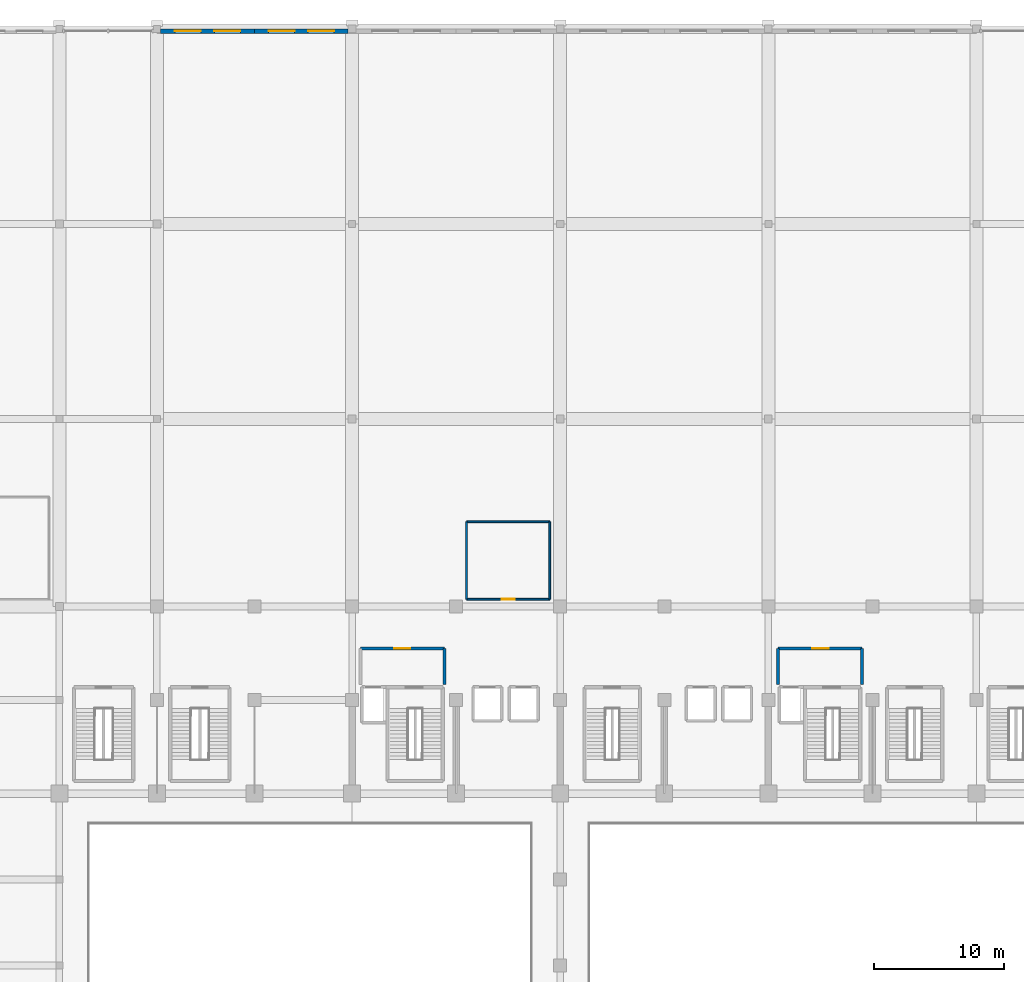
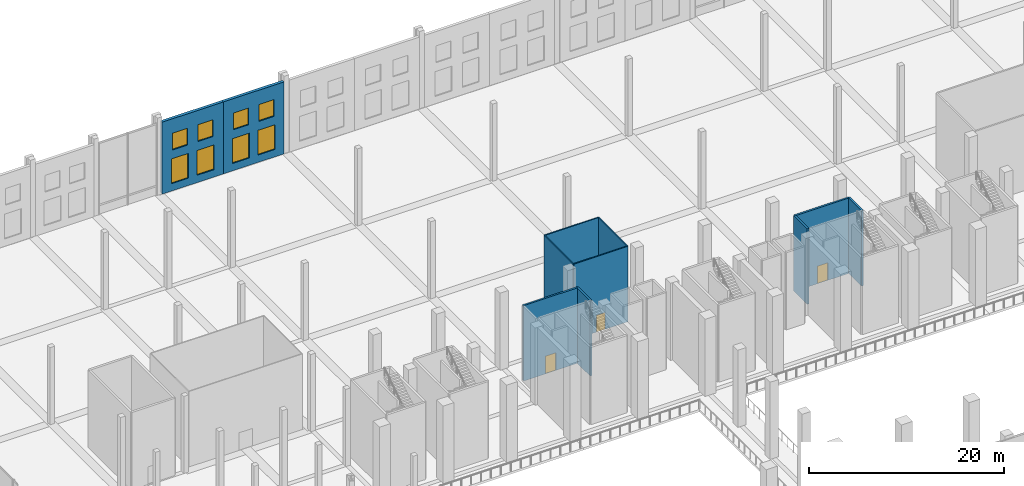
# One storey, part 68 of 80: 11 walls, 8 windows, 3 doors, 11 openings.
"""IFC4 building model written with IfcOpenShell, lengths in metres."""

from ifc_helpers import new_model, si_unit, direction, frame, frame_2d, origin, place, context, subcontext, project, spatial, rectangle, extrude, material, layer, layer_set, type_object, element, fill, save


model = new_model("IFC4")

# Units and contexts
model_context = context("Model", 3, precision=1e-05, world=origin(), true_north=direction((0.0, 1.0)))
body_context = subcontext(model_context, "Body", "Model", "MODEL_VIEW")
ifc_project = project(units=[si_unit("LENGTHUNIT", "METRE"), si_unit("AREAUNIT", "SQUARE_METRE"), si_unit("VOLUMEUNIT", "CUBIC_METRE"), si_unit("PLANEANGLEUNIT", "RADIAN"), si_unit("MASSUNIT", "GRAM", prefix="KILO")], contexts=[model_context])

# Site, building, storey
site_placement = place(None, origin())
site = spatial("IfcSite", under=ifc_project, at=site_placement, CompositionType="ELEMENT")
building_placement = place(site_placement, origin())
building = spatial("IfcBuilding", under=site, at=building_placement, Name="Akrevak Sports Hall", CompositionType="ELEMENT")
storey_placement = place(building_placement, frame((0.0, 0.0, 14.0)))
storey = spatial("IfcBuildingStorey", under=building, at=storey_placement, Name="L03", CompositionType="ELEMENT", Elevation=14.0)

# Wall, openings, windows
ifc_material_1 = material(Name="Limestone Ashlar", Category="stone")
ifc_layer_1 = layer(ifc_material_1, 0.070068359375, Name="Limestone Ashlar")
ifc_material_2 = material(Name="Mineral Wool Thermal Insulation", Category="insulation")
ifc_layer_2 = layer(ifc_material_2, 0.10009765625, Name="Mineral Wool Thermal Insulation")
ifc_material_3 = material(Name="Concrete C40/50", Category="concrete")
ifc_layer_3 = layer(ifc_material_3, 0.169921875, Name="Concrete C40/50")
ifc_layer_set_1 = layer_set([ifc_layer_1, ifc_layer_2, ifc_layer_3], Name="Limestone Ashlar / Mineral Wool Thermal Insulation / Concrete C40/50")
wall_type_1 = type_object("IfcWallType", Name="ARC-WL-EXT-340", PredefinedType="SOLIDWALL", material=ifc_layer_set_1)
wall_1_placement = place(storey_placement, frame((52.5, 113.830078125, 0.0), z_axis=(0.0, 0.0, 1.0), x_axis=(-1.0, 0.0, 0.0)))
wall_1 = element("IfcWall", 1, at=wall_1_placement, inside=storey, type_object=wall_type_1, Name="Exterior Limestone Wall L03-N07", PredefinedType="SOLIDWALL", context=body_context, shape_type="SweptSolid", body=[
    extrude(rectangle(XDim=7.22509765625, YDim=0.340087890625, at=frame_2d((3.612548828125, 0.0))), origin(), (0.0, 0.0, 1.0), 9.0),
])
opening_1_placement = place(wall_1_placement, frame((4.1298828125, 0.0, 0.919921875)))
opening_1 = element("IfcOpeningElement", 2, at=opening_1_placement, cuts=wall_1, Name="Opening WN-41", PredefinedType="OPENING", context=body_context, shape_type="SweptSolid", body=[
    extrude(rectangle(XDim=2.0, YDim=3.10009765625, at=frame_2d((1.0, 1.550048828125))), frame((0.0, 0.18212890625, 0.0), z_axis=(0.0, -1.0, 0.0), x_axis=(1.0, 0.0, 0.0)), (0.0, 0.0, 1.0), 0.364013671875),
])
opening_2_placement = place(wall_1_placement, frame((4.229736328125, 0.0, 5.10009765625)))
opening_2 = element("IfcOpeningElement", 3, at=opening_2_placement, cuts=wall_1, Name="Opening WN-37", PredefinedType="OPENING", context=body_context, shape_type="SweptSolid", body=[
    extrude(rectangle(XDim=1.800048828125, YDim=2.10009765625, at=frame_2d((0.89990234375, 1.050048828125))), frame((0.0, 0.18212890625, 0.0), z_axis=(0.0, -1.0, 0.0), x_axis=(1.0, 0.0, 0.0)), (0.0, 0.0, 1.0), 0.364013671875),
])
opening_3_placement = place(wall_1_placement, frame((1.09521484375, 0.0, 0.919921875)))
opening_3 = element("IfcOpeningElement", 4, at=opening_3_placement, cuts=wall_1, Name="Opening WN-41", PredefinedType="OPENING", context=body_context, shape_type="SweptSolid", body=[
    extrude(rectangle(XDim=2.0, YDim=3.10009765625, at=frame_2d((1.0, 1.550048828125))), frame((0.0, 0.18212890625, 0.0), z_axis=(0.0, -1.0, 0.0), x_axis=(1.0, 0.0, 0.0)), (0.0, 0.0, 1.0), 0.364013671875),
])
opening_4_placement = place(wall_1_placement, frame((1.1953125, 0.0, 5.10009765625)))
opening_4 = element("IfcOpeningElement", 5, at=opening_4_placement, cuts=wall_1, Name="Opening WN-37", PredefinedType="OPENING", context=body_context, shape_type="SweptSolid", body=[
    extrude(rectangle(XDim=1.800048828125, YDim=2.10009765625, at=frame_2d((0.89990234375, 1.050048828125))), frame((0.0, 0.18212890625, 0.0), z_axis=(0.0, -1.0, 0.0), x_axis=(1.0, 0.0, 0.0)), (0.0, 0.0, 1.0), 0.364013671875),
])
ifc_material_4 = material(Name="Thermally Broken Bronze Frame & Double Low-E Glass", Category="glass")
window_type_1 = type_object("IfcWindowType", Name="ARC-WIN-SZ-1800x2100", PartitioningType="SINGLE_PANEL", PredefinedType="WINDOW", material=ifc_material_4)
window_1_placement = place(opening_2_placement, origin())
window_1 = element("IfcWindow", 6, at=window_1_placement, inside=storey, type_object=window_type_1, Name="Beaux-Arts Attic Clerestory Window WIN-L03-N07-1U", OverallHeight=2.10009765625, OverallWidth=1.800048828125, PartitioningType="SINGLE_PANEL", PredefinedType="WINDOW", context=body_context, shape_type="SweptSolid", body=[
    extrude(rectangle(XDim=1.800048828125, YDim=2.10009765625, at=frame_2d((0.89990234375, 1.050048828125))), frame((0.0, 0.030029296875, 0.0), z_axis=(0.0, -1.0, 0.0), x_axis=(1.0, 0.0, 0.0)), (0.0, 0.0, 1.0), 0.06005859375),
])
fill(opening_2, window_1)
window_2_placement = place(opening_4_placement, origin())
window_2 = element("IfcWindow", 7, at=window_2_placement, inside=storey, type_object=window_type_1, Name="Beaux-Arts Attic Clerestory Window WIN-L03-N07-2U", OverallHeight=2.10009765625, OverallWidth=1.800048828125, PartitioningType="SINGLE_PANEL", PredefinedType="WINDOW", context=body_context, shape_type="SweptSolid", body=[
    extrude(rectangle(XDim=1.800048828125, YDim=2.10009765625, at=frame_2d((0.89990234375, 1.050048828125))), frame((0.0, 0.030029296875, 0.0), z_axis=(0.0, -1.0, 0.0), x_axis=(1.0, 0.0, 0.0)), (0.0, 0.0, 1.0), 0.06005859375),
])
fill(opening_4, window_2)
window_type_2 = type_object("IfcWindowType", Name="ARC-WIN-SZ-2000x3100", PartitioningType="SINGLE_PANEL", PredefinedType="WINDOW", material=ifc_material_4)
window_3_placement = place(opening_1_placement, origin())
window_3 = element("IfcWindow", 8, at=window_3_placement, inside=storey, type_object=window_type_2, Name="Beaux-Arts Facade Window WIN-L03-N07-1", OverallHeight=3.10009765625, OverallWidth=2.0, PartitioningType="SINGLE_PANEL", PredefinedType="WINDOW", context=body_context, shape_type="SweptSolid", body=[
    extrude(rectangle(XDim=2.0, YDim=3.10009765625, at=frame_2d((1.0, 1.550048828125))), frame((0.0, 0.030029296875, 0.0), z_axis=(0.0, -1.0, 0.0), x_axis=(1.0, 0.0, 0.0)), (0.0, 0.0, 1.0), 0.06005859375),
])
fill(opening_1, window_3)
window_4_placement = place(opening_3_placement, origin())
window_4 = element("IfcWindow", 9, at=window_4_placement, inside=storey, type_object=window_type_2, Name="Beaux-Arts Facade Window WIN-L03-N07-2", OverallHeight=3.10009765625, OverallWidth=2.0, PartitioningType="SINGLE_PANEL", PredefinedType="WINDOW", context=body_context, shape_type="SweptSolid", body=[
    extrude(rectangle(XDim=2.0, YDim=3.10009765625, at=frame_2d((1.0, 1.550048828125))), frame((0.0, 0.030029296875, 0.0), z_axis=(0.0, -1.0, 0.0), x_axis=(1.0, 0.0, 0.0)), (0.0, 0.0, 1.0), 0.06005859375),
])
fill(opening_3, window_4)

wall_2_placement = place(storey_placement, frame((59.699951171875, 113.830078125, 0.0), z_axis=(0.0, 0.0, 1.0), x_axis=(-1.0, 0.0, 0.0)))
wall_2 = element("IfcWall", 10, at=wall_2_placement, inside=storey, type_object=wall_type_1, Name="Exterior Limestone Wall L03-N08", PredefinedType="SOLIDWALL", context=body_context, shape_type="SweptSolid", body=[
    extrude(rectangle(XDim=7.199951171875, YDim=0.340087890625, at=frame_2d((3.60009765625, 0.0))), origin(), (0.0, 0.0, 1.0), 9.0),
])
opening_5_placement = place(wall_2_placement, frame((4.112060546875, 0.0, 0.919921875)))
opening_5 = element("IfcOpeningElement", 11, at=opening_5_placement, cuts=wall_2, Name="Opening WN-41", PredefinedType="OPENING", context=body_context, shape_type="SweptSolid", body=[
    extrude(rectangle(XDim=2.0, YDim=3.10009765625, at=frame_2d((1.0, 1.550048828125))), frame((0.0, 0.18212890625, 0.0), z_axis=(0.0, -1.0, 0.0), x_axis=(1.0, 0.0, 0.0)), (0.0, 0.0, 1.0), 0.364013671875),
])
opening_6_placement = place(wall_2_placement, frame((4.2119140625, 0.0, 5.10009765625)))
opening_6 = element("IfcOpeningElement", 12, at=opening_6_placement, cuts=wall_2, Name="Opening WN-37", PredefinedType="OPENING", context=body_context, shape_type="SweptSolid", body=[
    extrude(rectangle(XDim=1.800048828125, YDim=2.10009765625, at=frame_2d((0.89990234375, 1.050048828125))), frame((0.0, 0.18212890625, 0.0), z_axis=(0.0, -1.0, 0.0), x_axis=(1.0, 0.0, 0.0)), (0.0, 0.0, 1.0), 0.364013671875),
])
opening_7_placement = place(wall_2_placement, frame((1.087890625, 0.0, 0.919921875)))
opening_7 = element("IfcOpeningElement", 13, at=opening_7_placement, cuts=wall_2, Name="Opening WN-41", PredefinedType="OPENING", context=body_context, shape_type="SweptSolid", body=[
    extrude(rectangle(XDim=2.0, YDim=3.10009765625, at=frame_2d((1.0, 1.550048828125))), frame((0.0, 0.18212890625, 0.0), z_axis=(0.0, -1.0, 0.0), x_axis=(1.0, 0.0, 0.0)), (0.0, 0.0, 1.0), 0.364013671875),
])
opening_8_placement = place(wall_2_placement, frame((1.18798828125, 0.0, 5.10009765625)))
opening_8 = element("IfcOpeningElement", 14, at=opening_8_placement, cuts=wall_2, Name="Opening WN-37", PredefinedType="OPENING", context=body_context, shape_type="SweptSolid", body=[
    extrude(rectangle(XDim=1.800048828125, YDim=2.10009765625, at=frame_2d((0.89990234375, 1.050048828125))), frame((0.0, 0.18212890625, 0.0), z_axis=(0.0, -1.0, 0.0), x_axis=(1.0, 0.0, 0.0)), (0.0, 0.0, 1.0), 0.364013671875),
])
window_5_placement = place(opening_6_placement, origin())
window_5 = element("IfcWindow", 15, at=window_5_placement, inside=storey, type_object=window_type_1, Name="Beaux-Arts Attic Clerestory Window WIN-L03-N08-1U", OverallHeight=2.10009765625, OverallWidth=1.800048828125, PartitioningType="SINGLE_PANEL", PredefinedType="WINDOW", context=body_context, shape_type="SweptSolid", body=[
    extrude(rectangle(XDim=1.800048828125, YDim=2.10009765625, at=frame_2d((0.89990234375, 1.050048828125))), frame((0.0, 0.030029296875, 0.0), z_axis=(0.0, -1.0, 0.0), x_axis=(1.0, 0.0, 0.0)), (0.0, 0.0, 1.0), 0.06005859375),
])
fill(opening_6, window_5)
window_6_placement = place(opening_8_placement, origin())
window_6 = element("IfcWindow", 16, at=window_6_placement, inside=storey, type_object=window_type_1, Name="Beaux-Arts Attic Clerestory Window WIN-L03-N08-2U", OverallHeight=2.10009765625, OverallWidth=1.800048828125, PartitioningType="SINGLE_PANEL", PredefinedType="WINDOW", context=body_context, shape_type="SweptSolid", body=[
    extrude(rectangle(XDim=1.800048828125, YDim=2.10009765625, at=frame_2d((0.89990234375, 1.050048828125))), frame((0.0, 0.030029296875, 0.0), z_axis=(0.0, -1.0, 0.0), x_axis=(1.0, 0.0, 0.0)), (0.0, 0.0, 1.0), 0.06005859375),
])
fill(opening_8, window_6)
window_7_placement = place(opening_5_placement, origin())
window_7 = element("IfcWindow", 17, at=window_7_placement, inside=storey, type_object=window_type_2, Name="Beaux-Arts Facade Window WIN-L03-N08-1", OverallHeight=3.10009765625, OverallWidth=2.0, PartitioningType="SINGLE_PANEL", PredefinedType="WINDOW", context=body_context, shape_type="SweptSolid", body=[
    extrude(rectangle(XDim=2.0, YDim=3.10009765625, at=frame_2d((1.0, 1.550048828125))), frame((0.0, 0.030029296875, 0.0), z_axis=(0.0, -1.0, 0.0), x_axis=(1.0, 0.0, 0.0)), (0.0, 0.0, 1.0), 0.06005859375),
])
fill(opening_5, window_7)
window_8_placement = place(opening_7_placement, origin())
window_8 = element("IfcWindow", 18, at=window_8_placement, inside=storey, type_object=window_type_2, Name="Beaux-Arts Facade Window WIN-L03-N08-2", OverallHeight=3.10009765625, OverallWidth=2.0, PartitioningType="SINGLE_PANEL", PredefinedType="WINDOW", context=body_context, shape_type="SweptSolid", body=[
    extrude(rectangle(XDim=2.0, YDim=3.10009765625, at=frame_2d((1.0, 1.550048828125))), frame((0.0, 0.030029296875, 0.0), z_axis=(0.0, -1.0, 0.0), x_axis=(1.0, 0.0, 0.0)), (0.0, 0.0, 1.0), 0.06005859375),
])
fill(opening_7, window_8)

# Wall, opening, door
ifc_material_5 = material(Name="Moisture-Resistant Wet-Area Partition", Category="gypsum")
ifc_layer_4 = layer(ifc_material_5, 0.139892578125, Name="Moisture-Resistant Wet-Area Partition")
ifc_layer_set_2 = layer_set([ifc_layer_4], Name="Moisture-Resistant Wet-Area Partition")
wall_type_2 = type_object("IfcWallType", Name="ARC-WL-PRT-140", PredefinedType="PARTITIONING", material=ifc_layer_set_2)
wall_3_placement = place(storey_placement, frame((68.800048828125, 70.14990234375, 0.0), z_axis=(0.0, 0.0, 1.0), x_axis=(1.0, 0.0, 0.0)))
wall_3 = element("IfcWall", 19, at=wall_3_placement, inside=storey, type_object=wall_type_2, Name="Interior Partition Upper Accessible WC L03 (S)", PredefinedType="PARTITIONING", context=body_context, shape_type="SweptSolid", body=[
    extrude(rectangle(XDim=6.39990234375, YDim=0.139892578125, at=frame_2d((3.199951171875, 0.0))), origin(), (0.0, 0.0, 1.0), 9.429931640625),
])
opening_9_placement = place(wall_3_placement, frame((2.68994140625, 0.0, 0.0)))
opening_9 = element("IfcOpeningElement", 20, at=opening_9_placement, cuts=wall_3, Name="Opening ID-09", PredefinedType="OPENING", context=body_context, shape_type="SweptSolid", body=[
    extrude(rectangle(XDim=1.02001953125, YDim=2.10009765625, at=frame_2d((0.510009765625, 1.050048828125))), frame((0.0, 0.08203125, 0.0), z_axis=(0.0, -1.0, 0.0), x_axis=(1.0, 0.0, 0.0)), (0.0, 0.0, 1.0), 0.163818359375),
])
ifc_material_6 = material(Name="High-Pressure Laminate & Aluminium", Category="aluminium")
door_type_1 = type_object("IfcDoorType", Name="ARC-DR-AWC-102x210", OperationType="NOTDEFINED", PredefinedType="DOOR", material=ifc_material_6)
door_1_placement = place(opening_9_placement, frame((1.02001953125, 0.0, 0.0), z_axis=(0.0, 0.0, 1.0), x_axis=(-1.0, 0.0, 0.0)))
door_1 = element("IfcDoor", 21, at=door_1_placement, inside=storey, type_object=door_type_1, Name="Door to Upper Accessible WC L03", OperationType="SINGLE_SWING_RIGHT", OverallHeight=2.10009765625, OverallWidth=1.02001953125, PredefinedType="DOOR", context=body_context, shape_type="SweptSolid", body=[
    extrude(rectangle(XDim=1.02001953125, YDim=2.10009765625, at=frame_2d((0.510009765625, 1.050048828125))), frame((0.0, 0.02490234375, 0.0), z_axis=(0.0, -1.0, 0.0), x_axis=(1.0, 0.0, 0.0)), (0.0, 0.0, 1.0), 0.050048828125),
])
fill(opening_9, door_1)

# Walls
wall_4_placement = place(storey_placement, frame((68.800048828125, 76.10009765625, 0.0), z_axis=(0.0, 0.0, 1.0), x_axis=(1.0, 0.0, 0.0)))
element("IfcWall", 22, at=wall_4_placement, inside=storey, type_object=wall_type_2, Name="Interior Partition Upper Accessible WC L03 (N)", PredefinedType="PARTITIONING", context=body_context, shape_type="SweptSolid", body=[
    extrude(rectangle(XDim=6.39990234375, YDim=0.139892578125, at=frame_2d((3.199951171875, 0.0))), origin(), (0.0, 0.0, 1.0), 9.429931640625),
])
for number, where, z_axis, x_axis, name in (
    (23, (68.800048828125, 70.14990234375, 0.0), (0.0, 0.0, 1.0), (0.0, 1.0, 0.0), "Interior Partition Upper Accessible WC L03 (W)"),
    (24, (75.199951171875, 70.14990234375, 0.0), (0.0, 0.0, 1.0), (0.0, 1.0, 0.0), "Interior Partition Upper Accessible WC L03 (E)"),
):
    element("IfcWall", number, at=place(storey_placement, frame(where, z_axis=z_axis, x_axis=x_axis)), inside=storey, type_object=wall_type_2, Name=name, PredefinedType="PARTITIONING", context=body_context, shape_type="SweptSolid", body=[
        extrude(rectangle(XDim=5.9501953125, YDim=0.139892578125, at=frame_2d((2.97509765625, 0.0))), origin(), (0.0, 0.0, 1.0), 9.429931640625),
    ])

# Wall, opening, door
ifc_layer_5 = layer(ifc_material_3, 0.219970703125, Name="Concrete C40/50")
ifc_layer_set_3 = layer_set([ifc_layer_5], Name="Concrete C40/50")
wall_type_3 = type_object("IfcWallType", Name="ARC-WL-PRT-220", PredefinedType="PARTITIONING", material=ifc_layer_set_3)
wall_5_placement = place(storey_placement, frame((60.64990234375, 66.35009765625, 0.0), z_axis=(0.0, 0.0, 1.0), x_axis=(1.0, 0.0, 0.0)))
wall_5 = element("IfcWall", 25, at=wall_5_placement, inside=storey, type_object=wall_type_3, Name="Interior Partition Firefighting Lobby West L03 (N)", PredefinedType="PARTITIONING", context=body_context, shape_type="SweptSolid", body=[
    extrude(rectangle(XDim=6.4501953125, YDim=0.219970703125, at=frame_2d((3.22509765625, 0.0))), origin(), (0.0, 0.0, 1.0), 9.429931640625),
])
opening_10_placement = place(wall_5_placement, frame((2.574951171875, 0.0, 0.0)))
opening_10 = element("IfcOpeningElement", 26, at=opening_10_placement, cuts=wall_5, Name="Opening FD-01", PredefinedType="OPENING", context=body_context, shape_type="SweptSolid", body=[
    extrude(rectangle(XDim=1.25, YDim=2.199951171875, at=frame_2d((0.625, 1.10009765625))), frame((0.0, 0.1220703125, 0.0), z_axis=(0.0, -1.0, 0.0), x_axis=(1.0, 0.0, 0.0)), (0.0, 0.0, 1.0), 0.243896484375),
])
ifc_material_7 = material(Name="Fire-Rated Galvanized Door Steel", Category="steel")
door_type_2 = type_object("IfcDoorType", Name="ARC-DR-FFL-125x220", OperationType="NOTDEFINED", PredefinedType="DOOR", material=ifc_material_7)
door_2_placement = place(opening_10_placement, frame((1.25, 0.0, 0.0), z_axis=(0.0, 0.0, 1.0), x_axis=(-1.0, 0.0, 0.0)))
door_2 = element("IfcDoor", 27, at=door_2_placement, inside=storey, type_object=door_type_2, Name="Door to Firefighting Lobby West L03", OperationType="SINGLE_SWING_RIGHT", OverallHeight=2.199951171875, OverallWidth=1.25, PredefinedType="DOOR", context=body_context, shape_type="SweptSolid", body=[
    extrude(rectangle(XDim=1.25, YDim=2.199951171875, at=frame_2d((0.625, 1.10009765625))), frame((0.0, 0.02490234375, 0.0), z_axis=(0.0, -1.0, 0.0), x_axis=(1.0, 0.0, 0.0)), (0.0, 0.0, 1.0), 0.050048828125),
])
fill(opening_10, door_2)

# Wall
wall_6_placement = place(storey_placement, frame((67.10009765625, 63.60009765625, 0.0), z_axis=(0.0, 0.0, 1.0), x_axis=(0.0, 1.0, 0.0)))
element("IfcWall", 28, at=wall_6_placement, inside=storey, type_object=wall_type_3, Name="Interior Partition Firefighting Lobby West L03 (E)", PredefinedType="PARTITIONING", context=body_context, shape_type="SweptSolid", body=[
    extrude(rectangle(XDim=2.75, YDim=0.219970703125, at=frame_2d((1.375, 0.0))), origin(), (0.0, 0.0, 1.0), 9.429931640625),
])

# Wall, opening, door
wall_7_placement = place(storey_placement, frame((92.75, 66.35009765625, 0.0), z_axis=(0.0, 0.0, 1.0), x_axis=(1.0, 0.0, 0.0)))
wall_7 = element("IfcWall", 29, at=wall_7_placement, inside=storey, type_object=wall_type_3, Name="Interior Partition Firefighting Lobby East L03 (N)", PredefinedType="PARTITIONING", context=body_context, shape_type="SweptSolid", body=[
    extrude(rectangle(XDim=6.449951171875, YDim=0.219970703125, at=frame_2d((3.22509765625, 0.0))), origin(), (0.0, 0.0, 1.0), 9.429931640625),
])
opening_11_placement = place(wall_7_placement, frame((2.625, 0.0, 0.0)))
opening_11 = element("IfcOpeningElement", 30, at=opening_11_placement, cuts=wall_7, Name="Opening FD-01", PredefinedType="OPENING", context=body_context, shape_type="SweptSolid", body=[
    extrude(rectangle(XDim=1.25, YDim=2.199951171875, at=frame_2d((0.625, 1.10009765625))), frame((0.0, 0.1220703125, 0.0), z_axis=(0.0, -1.0, 0.0), x_axis=(1.0, 0.0, 0.0)), (0.0, 0.0, 1.0), 0.243896484375),
])
door_3_placement = place(opening_11_placement, frame((1.25, 0.0, 0.0), z_axis=(0.0, 0.0, 1.0), x_axis=(-1.0, 0.0, 0.0)))
door_3 = element("IfcDoor", 31, at=door_3_placement, inside=storey, type_object=door_type_2, Name="Door to Firefighting Lobby East L03", OperationType="SINGLE_SWING_LEFT", OverallHeight=2.199951171875, OverallWidth=1.25, PredefinedType="DOOR", context=body_context, shape_type="SweptSolid", body=[
    extrude(rectangle(XDim=1.25, YDim=2.199951171875, at=frame_2d((0.625, 1.10009765625))), frame((0.0, 0.02490234375, 0.0), z_axis=(0.0, -1.0, 0.0), x_axis=(1.0, 0.0, 0.0)), (0.0, 0.0, 1.0), 0.050048828125),
])
fill(opening_11, door_3)

# Walls
for number, where, z_axis, x_axis, name in (
    (32, (92.75, 63.60009765625, 0.0), (0.0, 0.0, 1.0), (0.0, 1.0, 0.0), "Interior Partition Firefighting Lobby East L03 (W)"),
    (33, (99.199951171875, 63.60009765625, 0.0), (0.0, 0.0, 1.0), (0.0, 1.0, 0.0), "Interior Partition Firefighting Lobby East L03 (E)"),
):
    element("IfcWall", number, at=place(storey_placement, frame(where, z_axis=z_axis, x_axis=x_axis)), inside=storey, type_object=wall_type_3, Name=name, PredefinedType="PARTITIONING", context=body_context, shape_type="SweptSolid", body=[
        extrude(rectangle(XDim=2.75, YDim=0.219970703125, at=frame_2d((1.375, 0.0))), origin(), (0.0, 0.0, 1.0), 9.429931640625),
    ])

save(model, "model.ifc")
